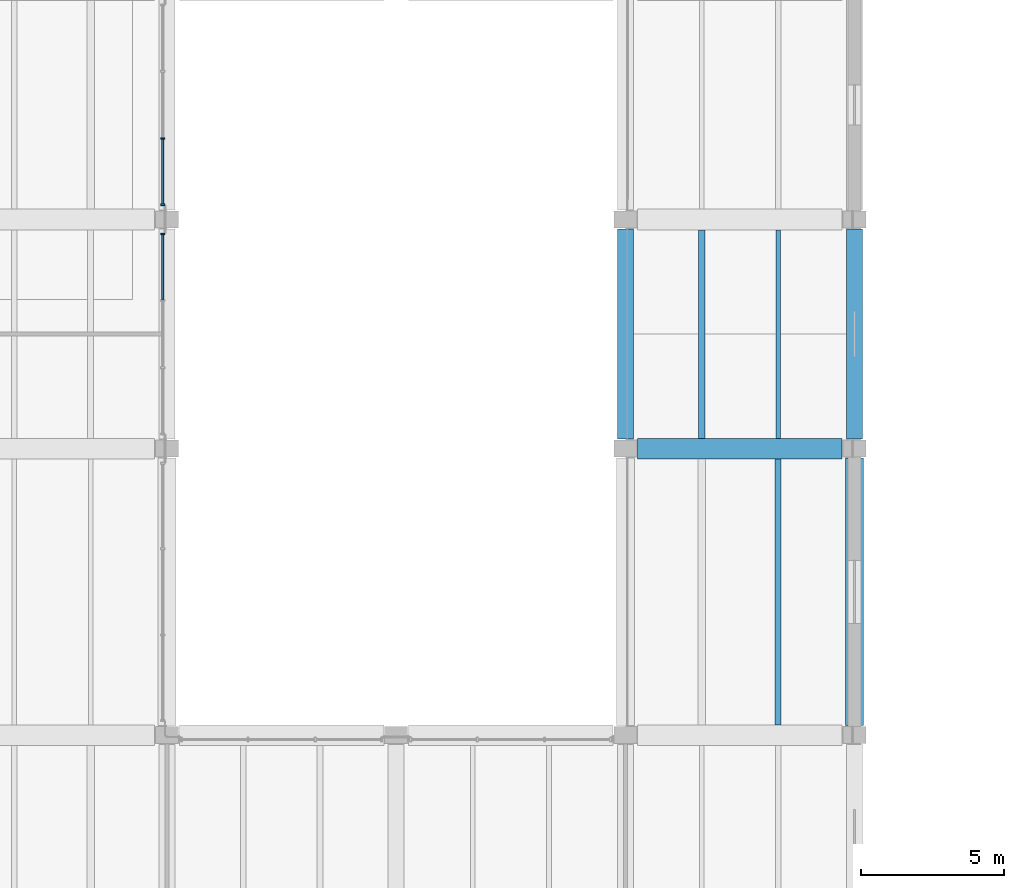
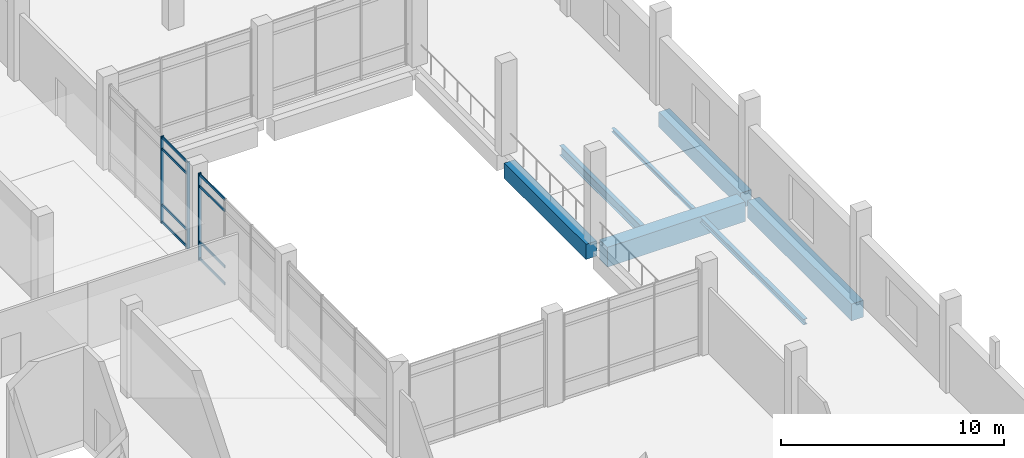
# One storey, part 24 of 61: 11 members, 7 beams, 2 elements without a shape of their own.
"""IFC4 building model written with IfcOpenShell, lengths in metres."""

from ifc_helpers import new_model, si_unit, direction, frame, origin, origin_2d, place, context, subcontext, project, spatial, rectangle, i_section, extrude, material, material_profile, profile_set, type_object, element, aggregate, save


model = new_model("IFC4")

# Units and contexts
model_context = context("Model", 3, precision=1e-05, world=origin(), true_north=direction((0.0, 1.0)))
body_context = subcontext(model_context, "Body", "Model", "MODEL_VIEW")
ifc_project = project(units=[si_unit("LENGTHUNIT", "METRE"), si_unit("AREAUNIT", "SQUARE_METRE"), si_unit("VOLUMEUNIT", "CUBIC_METRE"), si_unit("PLANEANGLEUNIT", "RADIAN"), si_unit("MASSUNIT", "GRAM", prefix="KILO")], contexts=[model_context])

# Site, building, storey
site_placement = place(None, origin())
site = spatial("IfcSite", under=ifc_project, at=site_placement, CompositionType="ELEMENT")
building_placement = place(site_placement, origin())
building = spatial("IfcBuilding", under=site, at=building_placement, Name="Pecanmere Concourse Central Library", CompositionType="ELEMENT")
storey_placement = place(building_placement, frame((0.0, 0.0, 5.39990234375)))
storey = spatial("IfcBuildingStorey", under=building, at=storey_placement, Name="L02", CompositionType="ELEMENT", Elevation=5.39990234375)

# Curtain wall, member
ifc_material_1 = material(Name="Clear anodized aluminium alloy 6063-T6", Category="aluminium")
curtain_wall_type = type_object("IfcCurtainWallType", Name="CW_CLOISTER_GLAZ", PredefinedType="USERDEFINED", material=ifc_material_1)
curtain_wall_1_placement = place(storey_placement, origin())
curtain_wall_1 = element("IfcCurtainWall", 1, at=curtain_wall_1_placement, inside=storey, type_object=curtain_wall_type, Name="Unitised Curtain Wall CW-04 L02-117", ObjectType="UNITISED CURTAIN WALL", PredefinedType="USERDEFINED")
ifc_material_2 = material(Name="Clear anodized aluminium alloy 6063-T6", Category="aluminium")
ifc_material_profile_1 = material_profile(ifc_material_2, rectangle(XDim=0.06005859375, YDim=0.14990234375, at=origin_2d()), Name="AL 60x150")
ifc_profile_set_1 = profile_set([ifc_material_profile_1], Name="Clear anodized aluminium alloy 6063-T6")
member_type_1 = type_object("IfcMemberType", Name="CWM_150x60", PredefinedType="MULLION", material=ifc_profile_set_1)
member_1_placement = place(storey_placement, frame((127.85009765625, 81.489990234375, 0.0), z_axis=(0.0, 0.0, 1.0), x_axis=(0.0, 1.0, 0.0)))
member_1 = element("IfcMember", 2, at=member_1_placement, type_object=member_type_1, Name="CW-04 Mullion 4", PredefinedType="MULLION", context=body_context, shape_type="SweptSolid", body=[
    extrude(rectangle(XDim=0.06005859375, YDim=0.14990234375, at=origin_2d()), origin(), (0.0, 0.0, 1.0), 4.760009765625),
])

# Curtain wall, members
curtain_wall_2_placement = place(storey_placement, origin())
curtain_wall_2 = element("IfcCurtainWall", 3, at=curtain_wall_2_placement, inside=storey, type_object=curtain_wall_type, Name="Unitised Curtain Wall CW-04 L02-119", ObjectType="UNITISED CURTAIN WALL", PredefinedType="USERDEFINED")
member_2_placement = place(storey_placement, frame((127.85009765625, 82.510009765625, 0.0), z_axis=(0.0, 0.0, 1.0), x_axis=(0.0, 1.0, 0.0)))
member_2 = element("IfcMember", 4, at=member_2_placement, type_object=member_type_1, Name="CW-04 Mullion 1", PredefinedType="MULLION", context=body_context, shape_type="SweptSolid", body=[
    extrude(rectangle(XDim=0.06005859375, YDim=0.14990234375, at=origin_2d()), origin(), (0.0, 0.0, 1.0), 4.760009765625),
])
member_3_placement = place(storey_placement, frame((127.85009765625, 84.82666015625, 0.0), z_axis=(0.0, 0.0, 1.0), x_axis=(0.0, 1.0, 0.0)))
member_3 = element("IfcMember", 5, at=member_3_placement, type_object=member_type_1, Name="CW-04 Mullion 2", PredefinedType="MULLION", context=body_context, shape_type="SweptSolid", body=[
    extrude(rectangle(XDim=0.06005859375, YDim=0.14990234375, at=origin_2d()), origin(), (0.0, 0.0, 1.0), 4.760009765625),
])

# Member
ifc_material_3 = material(Name="Clear anodized aluminium alloy 6063-T6", Category="aluminium")
ifc_material_profile_2 = material_profile(ifc_material_3, rectangle(XDim=0.054931640625, YDim=0.139892578125, at=origin_2d()), Name="AL 55x140")
ifc_profile_set_2 = profile_set([ifc_material_profile_2], Name="Clear anodized aluminium alloy 6063-T6")
member_type_2 = type_object("IfcMemberType", Name="CWT_140x55", PredefinedType="USERDEFINED", material=ifc_profile_set_2)
member_4_placement = place(storey_placement, frame((127.85009765625, 79.203369140625, 0.070068359375), z_axis=(0.0, 1.0, 0.0), x_axis=(-1.0, 0.0, 0.0)))
member_4 = element("IfcMember", 6, at=member_4_placement, type_object=member_type_2, Name="CW-04 Transom 3.1", ObjectType="TRANSOM", PredefinedType="USERDEFINED", context=body_context, shape_type="SweptSolid", body=[
    extrude(rectangle(XDim=0.054931640625, YDim=0.139892578125, at=origin_2d()), origin(), (0.0, 0.0, 1.0), 2.256591796875),
])

member_5_placement = place(storey_placement, frame((127.85009765625, 79.203369140625, 1.0), z_axis=(0.0, 1.0, 0.0), x_axis=(-1.0, 0.0, 0.0)))
member_5 = element("IfcMember", 7, at=member_5_placement, type_object=member_type_2, Name="CW-04 Transom 3.2", ObjectType="TRANSOM", PredefinedType="USERDEFINED", context=body_context, shape_type="SweptSolid", body=[
    extrude(rectangle(XDim=0.054931640625, YDim=0.139892578125, at=origin_2d()), origin(), (0.0, 0.0, 1.0), 2.256591796875),
])

member_6_placement = place(storey_placement, frame((127.85009765625, 79.203369140625, 4.06005859375), z_axis=(0.0, 1.0, 0.0), x_axis=(-1.0, 0.0, 0.0)))
member_6 = element("IfcMember", 8, at=member_6_placement, type_object=member_type_2, Name="CW-04 Transom 3.3", ObjectType="TRANSOM", PredefinedType="USERDEFINED", context=body_context, shape_type="SweptSolid", body=[
    extrude(rectangle(XDim=0.054931640625, YDim=0.139892578125, at=origin_2d()), origin(), (0.0, 0.0, 1.0), 2.256591796875),
])

member_7_placement = place(storey_placement, frame((127.85009765625, 79.203369140625, 4.690185546875), z_axis=(0.0, 1.0, 0.0), x_axis=(-1.0, 0.0, 0.0)))
member_7 = element("IfcMember", 9, at=member_7_placement, type_object=member_type_2, Name="CW-04 Transom 3.4", ObjectType="TRANSOM", PredefinedType="USERDEFINED", context=body_context, shape_type="SweptSolid", body=[
    extrude(rectangle(XDim=0.054931640625, YDim=0.139892578125, at=origin_2d()), origin(), (0.0, 0.0, 1.0), 2.256591796875),
])

aggregate(curtain_wall_1, [member_1, member_4, member_5, member_6, member_7])

member_8_placement = place(storey_placement, frame((127.85009765625, 82.5400390625, 0.070068359375), z_axis=(0.0, 1.0, 0.0), x_axis=(-1.0, 0.0, 0.0)))
member_8 = element("IfcMember", 10, at=member_8_placement, type_object=member_type_2, Name="CW-04 Transom 1.1", ObjectType="TRANSOM", PredefinedType="USERDEFINED", context=body_context, shape_type="SweptSolid", body=[
    extrude(rectangle(XDim=0.054931640625, YDim=0.139892578125, at=origin_2d()), origin(), (0.0, 0.0, 1.0), 2.256591796875),
])

member_9_placement = place(storey_placement, frame((127.85009765625, 82.5400390625, 1.0), z_axis=(0.0, 1.0, 0.0), x_axis=(-1.0, 0.0, 0.0)))
member_9 = element("IfcMember", 11, at=member_9_placement, type_object=member_type_2, Name="CW-04 Transom 1.2", ObjectType="TRANSOM", PredefinedType="USERDEFINED", context=body_context, shape_type="SweptSolid", body=[
    extrude(rectangle(XDim=0.054931640625, YDim=0.139892578125, at=origin_2d()), origin(), (0.0, 0.0, 1.0), 2.256591796875),
])

member_10_placement = place(storey_placement, frame((127.85009765625, 82.5400390625, 4.06005859375), z_axis=(0.0, 1.0, 0.0), x_axis=(-1.0, 0.0, 0.0)))
member_10 = element("IfcMember", 12, at=member_10_placement, type_object=member_type_2, Name="CW-04 Transom 1.3", ObjectType="TRANSOM", PredefinedType="USERDEFINED", context=body_context, shape_type="SweptSolid", body=[
    extrude(rectangle(XDim=0.054931640625, YDim=0.139892578125, at=origin_2d()), origin(), (0.0, 0.0, 1.0), 2.256591796875),
])

member_11_placement = place(storey_placement, frame((127.85009765625, 82.5400390625, 4.690185546875), z_axis=(0.0, 1.0, 0.0), x_axis=(-1.0, 0.0, 0.0)))
member_11 = element("IfcMember", 13, at=member_11_placement, type_object=member_type_2, Name="CW-04 Transom 1.4", ObjectType="TRANSOM", PredefinedType="USERDEFINED", context=body_context, shape_type="SweptSolid", body=[
    extrude(rectangle(XDim=0.054931640625, YDim=0.139892578125, at=origin_2d()), origin(), (0.0, 0.0, 1.0), 2.256591796875),
])

aggregate(curtain_wall_2, [member_2, member_3, member_8, member_9, member_10, member_11])

# Beams
ifc_material_4 = material(Name="Concrete C40/50", Category="concrete")
ifc_material_profile_3 = material_profile(ifc_material_4, rectangle(XDim=0.56005859375, YDim=0.830078125, at=origin_2d()), Name="RC 560x830")
ifc_profile_set_3 = profile_set([ifc_material_profile_3], Name="Concrete C40/50")
beam_type_1 = type_object("IfcBeamType", Name="GRD_560x830", PredefinedType="USERDEFINED", material=ifc_profile_set_3)
for number, where, z_axis, x_axis, name in (
    (14, (144.0, 74.330078125, -0.784912109375), (0.0, 1.0, 0.0), (-1.0, 0.0, 0.0), "Primary Girder Y L02-1132"),
    (15, (152.0, 74.330078125, -0.784912109375), (0.0, 1.0, 0.0), (-1.0, 0.0, 0.0), "Primary Girder Y L02-1143"),
):
    element("IfcBeam", number, at=place(storey_placement, frame(where, z_axis=z_axis, x_axis=x_axis)), inside=storey, type_object=beam_type_1, Name=name, ObjectType="GIRDER", PredefinedType="USERDEFINED", context=body_context, shape_type="SweptSolid", body=[
        extrude(rectangle(XDim=0.56005859375, YDim=0.830078125, at=origin_2d()), origin(), (0.0, 0.0, 1.0), 7.33984375),
    ])
ifc_material_5 = material(Name="Concrete C40/50", Category="concrete")
ifc_material_profile_4 = material_profile(ifc_material_5, rectangle(XDim=0.6201171875, YDim=0.919921875, at=origin_2d()), Name="RC 620x920")
ifc_profile_set_4 = profile_set([ifc_material_profile_4], Name="Concrete C40/50")
beam_type_2 = type_object("IfcBeamType", Name="GRD_620x920", PredefinedType="USERDEFINED", material=ifc_profile_set_4)
beam_1_placement = place(storey_placement, frame((152.0, 64.330078125, -0.829833984375), z_axis=(0.0, 1.0, 0.0), x_axis=(-1.0, 0.0, 0.0)))
element("IfcBeam", 16, at=beam_1_placement, inside=storey, type_object=beam_type_2, Name="Primary Girder Y L02-1142", ObjectType="GIRDER", PredefinedType="USERDEFINED", context=body_context, shape_type="SweptSolid", body=[
    extrude(rectangle(XDim=0.6201171875, YDim=0.919921875, at=origin_2d()), origin(), (0.0, 0.0, 1.0), 9.33984375),
])
ifc_material_6 = material(Name="Concrete C40/50", Category="concrete")
ifc_material_profile_5 = material_profile(ifc_material_6, rectangle(XDim=0.719970703125, YDim=1.080078125, at=origin_2d()), Name="RC 720x1080")
ifc_profile_set_5 = profile_set([ifc_material_profile_5], Name="Concrete C40/50")
beam_type_3 = type_object("IfcBeamType", Name="GRD_720x1080", PredefinedType="USERDEFINED", material=ifc_profile_set_5)
beam_2_placement = place(storey_placement, frame((144.429931640625, 74.0, -0.909912109375), z_axis=(1.0, 0.0, 0.0), x_axis=(0.0, 1.0, 0.0)))
element("IfcBeam", 17, at=beam_2_placement, inside=storey, type_object=beam_type_3, Name="Primary Girder X L02-0896", ObjectType="GIRDER", PredefinedType="USERDEFINED", context=body_context, shape_type="SweptSolid", body=[
    extrude(rectangle(XDim=0.719970703125, YDim=1.080078125, at=origin_2d()), origin(), (0.0, 0.0, 1.0), 7.14013671875),
])
ifc_material_7 = material(Name="Structural steel ASTM A992 Grade 50", Category="steel")
ifc_material_profile_6 = material_profile(ifc_material_7, i_section(OverallWidth=0.1650390625, OverallDepth=0.200927734375, WebThickness=0.006103515625, FlangeThickness=0.01025390625, at=origin_2d()), Name="W200x35.9")
ifc_profile_set_6 = profile_set([ifc_material_profile_6], Name="Structural steel ASTM A992 Grade 50")
beam_type_4 = type_object("IfcBeamType", Name="SBM_W200x36", PredefinedType="LINTEL", material=ifc_profile_set_6)
beam_3_placement = place(storey_placement, frame((149.333251953125, 74.360107421875, -0.470458984375), z_axis=(0.0, 1.0, 0.0), x_axis=(-1.0, 0.0, 0.0)))
element("IfcBeam", 18, at=beam_3_placement, inside=storey, type_object=beam_type_4, Name="Secondary Floor Joist L02-1441", PredefinedType="LINTEL", context=body_context, shape_type="SweptSolid", body=[
    extrude(i_section(OverallWidth=0.1650390625, OverallDepth=0.200927734375, WebThickness=0.006103515625, FlangeThickness=0.01025390625, at=origin_2d()), origin(), (0.0, 0.0, 1.0), 7.27978515625),
])
ifc_material_8 = material(Name="Structural steel ASTM A992 Grade 50", Category="steel")
ifc_material_profile_7 = material_profile(ifc_material_8, i_section(OverallWidth=0.205078125, OverallDepth=0.31005859375, WebThickness=0.009521484375, FlangeThickness=0.016357421875, at=origin_2d()), Name="W310x74")
ifc_profile_set_7 = profile_set([ifc_material_profile_7], Name="Structural steel ASTM A992 Grade 50")
beam_type_5 = type_object("IfcBeamType", Name="SBM_W310x74", PredefinedType="BEAM", material=ifc_profile_set_7)
beam_4_placement = place(storey_placement, frame((149.333251953125, 64.360107421875, -0.52490234375), z_axis=(0.0, 1.0, 0.0), x_axis=(-1.0, 0.0, 0.0)))
element("IfcBeam", 19, at=beam_4_placement, inside=storey, type_object=beam_type_5, Name="Secondary Floor Joist L02-1439", PredefinedType="BEAM", context=body_context, shape_type="SweptSolid", body=[
    extrude(i_section(OverallWidth=0.205078125, OverallDepth=0.31005859375, WebThickness=0.009521484375, FlangeThickness=0.016357421875, at=origin_2d()), origin(), (0.0, 0.0, 1.0), 9.27978515625),
])
ifc_material_9 = material(Name="Structural steel ASTM A992 Grade 50", Category="steel")
ifc_material_profile_8 = material_profile(ifc_material_9, i_section(OverallWidth=0.2109375, OverallDepth=0.5390625, WebThickness=0.01171875, FlangeThickness=0.018798828125, at=origin_2d()), Name="W530x109")
ifc_profile_set_8 = profile_set([ifc_material_profile_8], Name="Structural steel ASTM A992 Grade 50")
beam_type_6 = type_object("IfcBeamType", Name="SBM_W530x109", PredefinedType="USERDEFINED", material=ifc_profile_set_8)
beam_5_placement = place(storey_placement, frame((146.666748046875, 74.360107421875, -0.639404296875), z_axis=(0.0, 1.0, 0.0), x_axis=(-1.0, 0.0, 0.0)))
element("IfcBeam", 20, at=beam_5_placement, inside=storey, type_object=beam_type_6, Name="Secondary Floor Joist L02-1440", ObjectType="GIRDER", PredefinedType="USERDEFINED", context=body_context, shape_type="SweptSolid", body=[
    extrude(i_section(OverallWidth=0.2109375, OverallDepth=0.5390625, WebThickness=0.01171875, FlangeThickness=0.018798828125, at=origin_2d()), origin(), (0.0, 0.0, 1.0), 7.27978515625),
])

save(model, "model.ifc")
